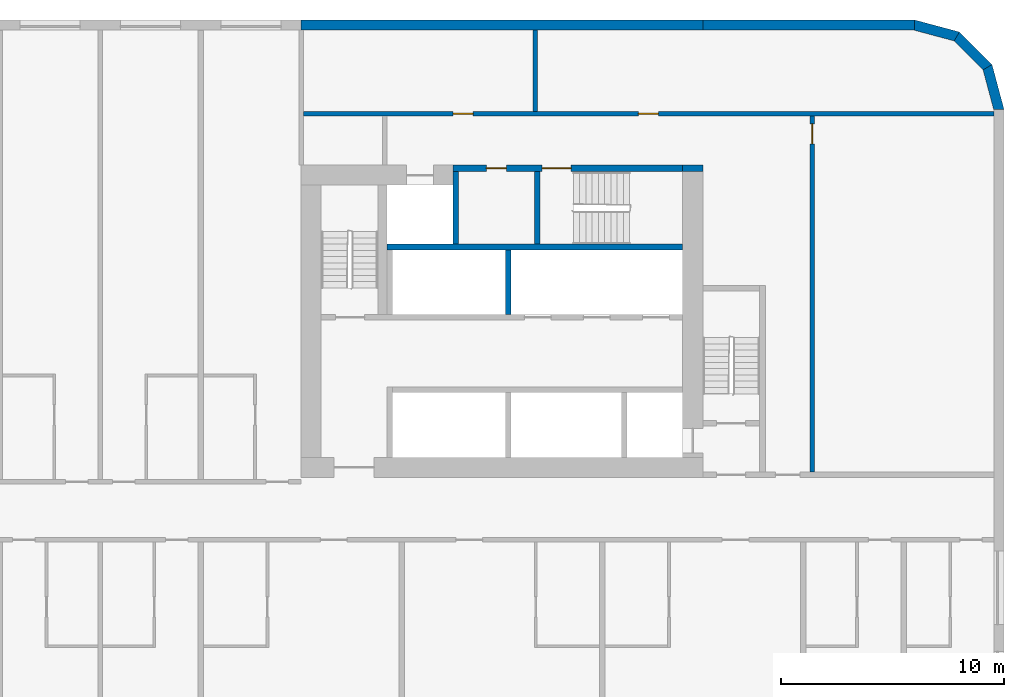
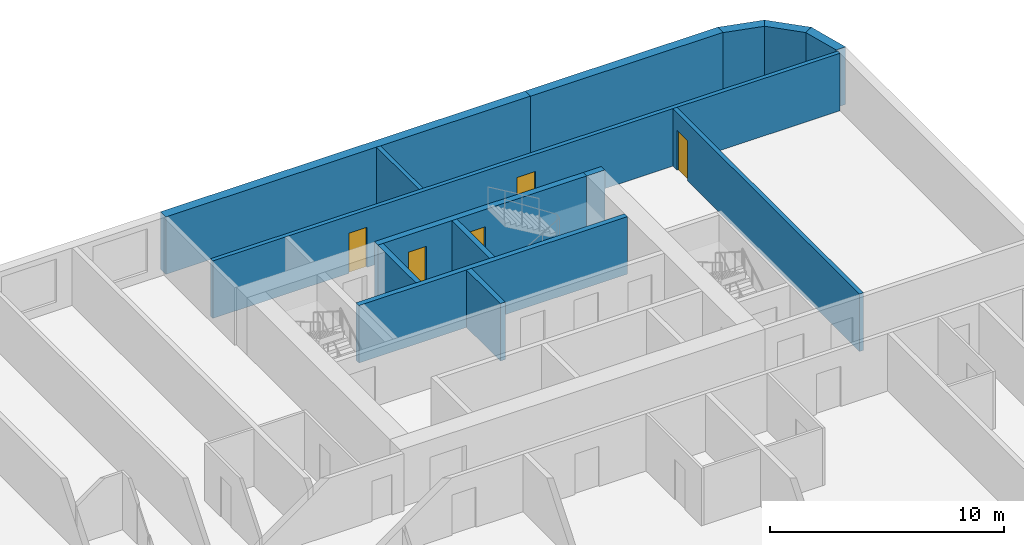
# One storey, part 8 of 12: 14 walls, 5 doors, 5 openings.
"""IFC4 building model written with IfcOpenShell, lengths in metres."""

from ifc_helpers import new_model, si_unit, direction, frame, frame_2d, origin, place, context, subcontext, project, spatial, polyline, rectangle, outline, extrude, material, layer, layer_set, type_object, element, fill, save


model = new_model("IFC4")

# Units and contexts
model_context = context("Model", 3, precision=1e-05, world=origin(), true_north=direction((0.0, 1.0)))
body_context = subcontext(model_context, "Body", "Model", "MODEL_VIEW")
ifc_project = project(units=[si_unit("LENGTHUNIT", "METRE"), si_unit("AREAUNIT", "SQUARE_METRE"), si_unit("VOLUMEUNIT", "CUBIC_METRE"), si_unit("PLANEANGLEUNIT", "RADIAN"), si_unit("MASSUNIT", "GRAM", prefix="KILO")], contexts=[model_context])

# Site, building, storey
site_placement = place(None, origin())
site = spatial("IfcSite", under=ifc_project, at=site_placement, CompositionType="ELEMENT")
building_placement = place(site_placement, origin())
building = spatial("IfcBuilding", under=site, at=building_placement, Name="Kajstack Hotel Tower", CompositionType="ELEMENT")
storey_placement = place(building_placement, frame((0.0, 0.0, 96.300048828125)))
storey = spatial("IfcBuildingStorey", under=building, at=storey_placement, Name="L20", CompositionType="ELEMENT", Elevation=96.300048828125)

# Walls
ifc_material_1 = material(Name="Concrete C60/75", Category="concrete")
ifc_layer_1 = layer(ifc_material_1, 0.89990234375)
ifc_layer_set_1 = layer_set([ifc_layer_1], Name="Core wall 900")
wall_type_1 = type_object("IfcWallType", Name="Core wall 900", PredefinedType="SHEAR", material=ifc_layer_set_1)
wall_1_placement = place(storey_placement, frame((30.60009765625, 15.35009765625, 0.0), z_axis=(0.0, 0.0, 1.0), x_axis=(1.0, 0.0, 0.0)))
element("IfcWall", 1, at=wall_1_placement, inside=storey, type_object=wall_type_1, Name="Core wall E RSW", PredefinedType="SHEAR", context=body_context, shape_type="SweptSolid", body=[
    extrude(rectangle(XDim=0.89990234375, YDim=0.300048828125, at=frame_2d((0.449951171875, 0.0))), origin(), (0.0, 0.0, 1.0), 3.0),
])
ifc_material_2 = material(Name="Concrete C40/50", Category="concrete")
ifc_layer_2 = layer(ifc_material_2, 0.449951171875)
ifc_layer_set_2 = layer_set([ifc_layer_2], Name="EW-CORE")
wall_type_2 = type_object("IfcWallType", Name="EW-CORE", PredefinedType="SOLIDWALL", material=ifc_layer_set_2)
wall_2_placement = place(storey_placement, frame((31.5, 21.77490234375, 0.0), z_axis=(0.0, 0.0, 1.0), x_axis=(-1.0, 0.0, 0.0)))
element("IfcWall", 2, at=wall_2_placement, inside=storey, type_object=wall_type_2, Name="E-wall-L20-11-01", PredefinedType="SOLIDWALL", context=body_context, shape_type="SweptSolid", body=[
    extrude(rectangle(XDim=18.0, YDim=0.449951171875, at=frame_2d((9.0, 0.0))), origin(), (0.0, 0.0, 1.0), 3.0),
])
ifc_material_3 = material(Name="Terracotta-faced brick masonry", Category="masonry")
ifc_layer_3 = layer(ifc_material_3, 0.449951171875)
ifc_layer_set_3 = layer_set([ifc_layer_3], Name="EW-TERRA")
wall_type_3 = type_object("IfcWallType", Name="EW-TERRA", PredefinedType="SOLIDWALL", material=ifc_layer_set_3)
wall_3_placement = place(storey_placement, frame((44.78271484375, 17.941650390625, 0.0), z_axis=(0.0, 0.0, 1.0), x_axis=(-0.25881466832, 0.965926999034, 0.0)))
element("IfcWall", 3, at=wall_3_placement, inside=storey, type_object=wall_type_3, Name="E-wall-L20-08-00", PredefinedType="SOLIDWALL", context=body_context, shape_type="SweptSolid", body=[
    extrude(outline(polyline([(0.000244140625, -0.22509765625), (2.070556640625, -0.224853515625), (1.9501953125, 0.22509765625), (0.12060546875, 0.22509765625), (0.000244140625, -0.22509765625)])), origin(), (0.0, 0.0, 1.0), 3.0),
])
wall_4_placement = place(storey_placement, frame((44.304931640625, 19.8408203125, 0.0), z_axis=(0.0, 0.0, 1.0), x_axis=(-0.707106781187, 0.707106781187, 0.0)))
element("IfcWall", 4, at=wall_4_placement, inside=storey, type_object=wall_type_3, Name="E-wall-L20-09-00", PredefinedType="SOLIDWALL", context=body_context, shape_type="SweptSolid", body=[
    extrude(outline(polyline([(0.0, -0.22509765625), (2.070556640625, -0.22509765625), (1.949951171875, 0.224853515625), (0.12060546875, 0.224853515625), (0.0, -0.22509765625)])), origin(), (0.0, 0.0, 1.0), 3.0),
])
wall_5_placement = place(storey_placement, frame((42.941650390625, 21.246826171875, 0.0), z_axis=(0.0, 0.0, 1.0), x_axis=(-0.965926999034, 0.25881466832, 0.0)))
element("IfcWall", 5, at=wall_5_placement, inside=storey, type_object=wall_type_3, Name="E-wall-L20-10-00", PredefinedType="SOLIDWALL", context=body_context, shape_type="SweptSolid", body=[
    extrude(outline(polyline([(-0.000244140625, -0.224853515625), (2.0703125, -0.22509765625), (1.949951171875, 0.22509765625), (0.120361328125, 0.22509765625), (-0.000244140625, -0.224853515625)])), origin(), (0.0, 0.0, 1.0), 3.0),
])
wall_6_placement = place(storey_placement, frame((41.0, 21.77490234375, 0.0), z_axis=(0.0, 0.0, 1.0), x_axis=(-1.0, 0.0, 0.0)))
element("IfcWall", 6, at=wall_6_placement, inside=storey, type_object=wall_type_3, Name="E-wall-L20-11-00", PredefinedType="SOLIDWALL", context=body_context, shape_type="SweptSolid", body=[
    extrude(rectangle(XDim=9.5, YDim=0.449951171875, at=frame_2d((4.75, 0.0))), origin(), (0.0, 0.0, 1.0), 3.0),
])
ifc_material_4 = material(Name="Concrete C50/60", Category="concrete")
ifc_layer_4 = layer(ifc_material_4, 0.300048828125)
ifc_layer_set_4 = layer_set([ifc_layer_4], Name="Hoistway divider wall 300")
wall_type_4 = type_object("IfcWallType", Name="Hoistway divider wall 300", PredefinedType="SHEAR", material=ifc_layer_set_4)
wall_7_placement = place(storey_placement, frame((22.77490234375, 8.800048828125, 0.0), z_axis=(0.0, 0.0, 1.0), x_axis=(0.0, 1.0, 0.0)))
element("IfcWall", 7, at=wall_7_placement, inside=storey, type_object=wall_type_4, Name="Core wall E BP2", PredefinedType="SHEAR", context=body_context, shape_type="SweptSolid", body=[
    extrude(rectangle(XDim=2.89990234375, YDim=0.25, at=frame_2d((1.449951171875, 0.0))), origin(), (0.0, 0.0, 1.0), 3.0),
])

# Wall, opening, door
ifc_material_5 = material(Name="Gypsum board on steel studs, mineral wool", Category="steel")
ifc_layer_5 = layer(ifc_material_5, 0.199951171875)
ifc_layer_set_5 = layer_set([ifc_layer_5], Name="Service partition 200")
wall_type_5 = type_object("IfcWallType", Name="Service partition 200", PredefinedType="PARTITIONING", material=ifc_layer_set_5)
wall_8_placement = place(storey_placement, frame((36.39990234375, 1.75, 0.0), z_axis=(0.0, 0.0, 1.0), x_axis=(0.0, 1.0, 0.0)))
wall_8 = element("IfcWall", 8, at=wall_8_placement, inside=storey, type_object=wall_type_5, Name="Partition E WRE", PredefinedType="PARTITIONING", context=body_context, shape_type="SweptSolid", body=[
    extrude(rectangle(XDim=15.949951171875, YDim=0.199951171875, at=frame_2d((7.97509765625, 0.0))), origin(), (0.0, 0.0, 1.0), 3.0),
])
opening_1_placement = place(wall_8_placement, frame((14.699951171875, 0.0, 0.0)))
opening_1 = element("IfcOpeningElement", 9, at=opening_1_placement, cuts=wall_8, Name="Opening 20E15", PredefinedType="OPENING", context=body_context, shape_type="SweptSolid", body=[
    extrude(rectangle(XDim=0.89990234375, YDim=2.10009765625, at=frame_2d((0.449951171875, 1.050048828125))), frame((0.0, 0.10986328125, 0.0), z_axis=(0.0, -1.0, 0.0), x_axis=(1.0, 0.0, 0.0)), (0.0, 0.0, 1.0), 0.219970703125),
])
ifc_material_6 = material(Name="Timber leaf, fire-rated", Category="wood")
door_type_1 = type_object("IfcDoorType", Name="Service door 900", OperationType="SINGLE_SWING_LEFT", PredefinedType="DOOR", material=ifc_material_6)
door_1_placement = place(opening_1_placement, origin())
door_1 = element("IfcDoor", 10, at=door_1_placement, inside=storey, type_object=door_type_1, Name="Door 20E15", OperationType="SINGLE_SWING_RIGHT", OverallHeight=2.10009765625, OverallWidth=0.89990234375, PredefinedType="DOOR", context=body_context, shape_type="SweptSolid", body=[
    extrude(rectangle(XDim=0.89990234375, YDim=2.10009765625, at=frame_2d((0.449951171875, 1.050048828125))), frame((0.0, 0.02490234375, 0.0), z_axis=(0.0, -1.0, 0.0), x_axis=(1.0, 0.0, 0.0)), (0.0, 0.0, 1.0), 0.050048828125),
])
fill(opening_1, door_1)

# Wall, openings, doors
wall_9_placement = place(storey_placement, frame((13.60009765625, 17.800048828125, 0.0), z_axis=(0.0, 0.0, 1.0), x_axis=(1.0, 0.0, 0.0)))
wall_9 = element("IfcWall", 11, at=wall_9_placement, inside=storey, type_object=wall_type_5, Name="Partition E SLN", PredefinedType="PARTITIONING", context=body_context, shape_type="SweptSolid", body=[
    extrude(rectangle(XDim=30.949951171875, YDim=0.199951171875, at=frame_2d((15.47509765625, 0.0))), origin(), (0.0, 0.0, 1.0), 3.0),
])
opening_2_placement = place(wall_9_placement, frame((15.012451171875, 0.0, 0.0)))
opening_2 = element("IfcOpeningElement", 12, at=opening_2_placement, cuts=wall_9, Name="Opening 20E13", PredefinedType="OPENING", context=body_context, shape_type="SweptSolid", body=[
    extrude(rectangle(XDim=0.89990234375, YDim=2.10009765625, at=frame_2d((0.449951171875, 1.050048828125))), frame((0.0, 0.10986328125, 0.0), z_axis=(0.0, -1.0, 0.0), x_axis=(1.0, 0.0, 0.0)), (0.0, 0.0, 1.0), 0.219970703125),
])
opening_3_placement = place(wall_9_placement, frame((6.71240234375, 0.0, 0.0)))
opening_3 = element("IfcOpeningElement", 13, at=opening_3_placement, cuts=wall_9, Name="Opening 20E14", PredefinedType="OPENING", context=body_context, shape_type="SweptSolid", body=[
    extrude(rectangle(XDim=0.89990234375, YDim=2.10009765625, at=frame_2d((0.449951171875, 1.050048828125))), frame((0.0, 0.10986328125, 0.0), z_axis=(0.0, -1.0, 0.0), x_axis=(1.0, 0.0, 0.0)), (0.0, 0.0, 1.0), 0.219970703125),
])
door_2_placement = place(opening_2_placement, origin())
door_2 = element("IfcDoor", 14, at=door_2_placement, inside=storey, type_object=door_type_1, Name="Door 20E13", OperationType="SINGLE_SWING_LEFT", OverallHeight=2.10009765625, OverallWidth=0.89990234375, PredefinedType="DOOR", context=body_context, shape_type="SweptSolid", body=[
    extrude(rectangle(XDim=0.89990234375, YDim=2.10009765625, at=frame_2d((0.449951171875, 1.050048828125))), frame((0.0, 0.02490234375, 0.0), z_axis=(0.0, -1.0, 0.0), x_axis=(1.0, 0.0, 0.0)), (0.0, 0.0, 1.0), 0.050048828125),
])
fill(opening_2, door_2)
door_3_placement = place(opening_3_placement, origin())
door_3 = element("IfcDoor", 15, at=door_3_placement, inside=storey, type_object=door_type_1, Name="Door 20E14", OperationType="SINGLE_SWING_LEFT", OverallHeight=2.10009765625, OverallWidth=0.89990234375, PredefinedType="DOOR", context=body_context, shape_type="SweptSolid", body=[
    extrude(rectangle(XDim=0.89990234375, YDim=2.10009765625, at=frame_2d((0.449951171875, 1.050048828125))), frame((0.0, 0.02490234375, 0.0), z_axis=(0.0, -1.0, 0.0), x_axis=(1.0, 0.0, 0.0)), (0.0, 0.0, 1.0), 0.050048828125),
])
fill(opening_3, door_3)

# Wall
wall_10_placement = place(storey_placement, frame((24.0, 17.89990234375, 0.0), z_axis=(0.0, 0.0, 1.0), x_axis=(0.0, 1.0, 0.0)))
element("IfcWall", 16, at=wall_10_placement, inside=storey, type_object=wall_type_5, Name="Partition E SLP0", PredefinedType="PARTITIONING", context=body_context, shape_type="SweptSolid", body=[
    extrude(rectangle(XDim=3.650146484375, YDim=0.199951171875, at=frame_2d((1.8251953125, 0.0))), origin(), (0.0, 0.0, 1.0), 3.0),
])

# Wall, openings, doors
ifc_layer_6 = layer(ifc_material_4, 0.25)
ifc_layer_set_6 = layer_set([ifc_layer_6], Name="Shaft wall 250")
wall_type_6 = type_object("IfcWallType", Name="Shaft wall 250", PredefinedType="SHEAR", material=ifc_layer_set_6)
wall_11_placement = place(storey_placement, frame((20.300048828125, 15.35009765625, 0.0), z_axis=(0.0, 0.0, 1.0), x_axis=(1.0, 0.0, 0.0)))
wall_11 = element("IfcWall", 17, at=wall_11_placement, inside=storey, type_object=wall_type_6, Name="Core wall E RSS", PredefinedType="SHEAR", context=body_context, shape_type="SweptSolid", body=[
    extrude(rectangle(XDim=10.300048828125, YDim=0.300048828125, at=frame_2d((5.14990234375, 0.0))), origin(), (0.0, 0.0, 1.0), 3.0),
])
opening_4_placement = place(wall_11_placement, frame((4.0, 0.0, 0.0)))
opening_4 = element("IfcOpeningElement", 18, at=opening_4_placement, cuts=wall_11, Name="Opening 20E11", PredefinedType="OPENING", context=body_context, shape_type="SweptSolid", body=[
    extrude(rectangle(XDim=1.300048828125, YDim=2.10009765625, at=frame_2d((0.64990234375, 1.050048828125))), frame((0.0, 0.159912109375, 0.0), z_axis=(0.0, -1.0, 0.0), x_axis=(1.0, 0.0, 0.0)), (0.0, 0.0, 1.0), 0.320068359375),
])
opening_5_placement = place(wall_11_placement, frame((1.5, 0.0, 0.0)))
opening_5 = element("IfcOpeningElement", 19, at=opening_5_placement, cuts=wall_11, Name="Opening 20E12", PredefinedType="OPENING", context=body_context, shape_type="SweptSolid", body=[
    extrude(rectangle(XDim=0.89990234375, YDim=2.10009765625, at=frame_2d((0.449951171875, 1.050048828125))), frame((0.0, 0.159912109375, 0.0), z_axis=(0.0, -1.0, 0.0), x_axis=(1.0, 0.0, 0.0)), (0.0, 0.0, 1.0), 0.320068359375),
])
door_4_placement = place(opening_5_placement, origin())
door_4 = element("IfcDoor", 20, at=door_4_placement, inside=storey, type_object=door_type_1, Name="Door 20E12", OperationType="SINGLE_SWING_RIGHT", OverallHeight=2.10009765625, OverallWidth=0.89990234375, PredefinedType="DOOR", context=body_context, shape_type="SweptSolid", body=[
    extrude(rectangle(XDim=0.89990234375, YDim=2.10009765625, at=frame_2d((0.449951171875, 1.050048828125))), frame((0.0, 0.02490234375, 0.0), z_axis=(0.0, -1.0, 0.0), x_axis=(1.0, 0.0, 0.0)), (0.0, 0.0, 1.0), 0.050048828125),
])
fill(opening_5, door_4)
ifc_material_7 = material(Name="Steel leaf, fire-rated", Category="steel")
door_type_2 = type_object("IfcDoorType", Name="Stair door 1300", OperationType="SINGLE_SWING_LEFT", PredefinedType="DOOR", material=ifc_material_7)
door_5_placement = place(opening_4_placement, origin())
door_5 = element("IfcDoor", 21, at=door_5_placement, inside=storey, type_object=door_type_2, Name="Door 20E11", OperationType="SINGLE_SWING_LEFT", OverallHeight=2.10009765625, OverallWidth=1.300048828125, PredefinedType="DOOR", context=body_context, shape_type="SweptSolid", body=[
    extrude(rectangle(XDim=1.300048828125, YDim=2.10009765625, at=frame_2d((0.64990234375, 1.050048828125))), frame((0.0, 0.02490234375, 0.0), z_axis=(0.0, -1.0, 0.0), x_axis=(1.0, 0.0, 0.0)), (0.0, 0.0, 1.0), 0.050048828125),
])
fill(opening_4, door_5)

# Walls
wall_12_placement = place(storey_placement, frame((17.35009765625, 11.824951171875, 0.0), z_axis=(0.0, 0.0, 1.0), x_axis=(1.0, 0.0, 0.0)))
element("IfcWall", 22, at=wall_12_placement, inside=storey, type_object=wall_type_6, Name="Core wall E RB", PredefinedType="SHEAR", context=body_context, shape_type="SweptSolid", body=[
    extrude(rectangle(XDim=13.25, YDim=0.25, at=frame_2d((6.625, 0.0))), origin(), (0.0, 0.0, 1.0), 3.0),
])
wall_13_placement = place(storey_placement, frame((20.425048828125, 11.949951171875, 0.0), z_axis=(0.0, 0.0, 1.0), x_axis=(0.0, 1.0, 0.0)))
element("IfcWall", 23, at=wall_13_placement, inside=storey, type_object=wall_type_6, Name="Core wall E SVW", PredefinedType="SHEAR", context=body_context, shape_type="SweptSolid", body=[
    extrude(rectangle(XDim=3.25, YDim=0.25, at=frame_2d((1.625, 0.0))), origin(), (0.0, 0.0, 1.0), 3.0),
])
ifc_layer_7 = layer(ifc_material_4, 0.35009765625)
ifc_layer_set_7 = layer_set([ifc_layer_7], Name="Stair enclosure wall 350")
wall_type_7 = type_object("IfcWallType", Name="Stair enclosure wall 350", PredefinedType="SHEAR", material=ifc_layer_set_7)
wall_14_placement = place(storey_placement, frame((24.074951171875, 11.949951171875, 0.0), z_axis=(0.0, 0.0, 1.0), x_axis=(0.0, 1.0, 0.0)))
element("IfcWall", 24, at=wall_14_placement, inside=storey, type_object=wall_type_7, Name="Core wall E W3E", PredefinedType="SHEAR", context=body_context, shape_type="SweptSolid", body=[
    extrude(rectangle(XDim=3.25, YDim=0.25, at=frame_2d((1.625, 0.0))), origin(), (0.0, 0.0, 1.0), 3.0),
])

save(model, "model.ifc")
